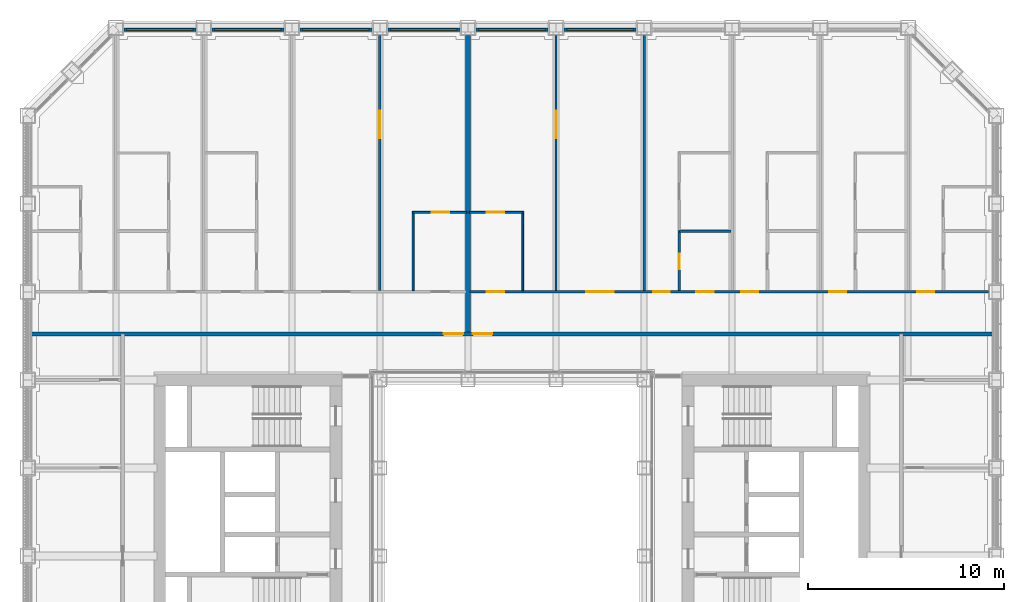
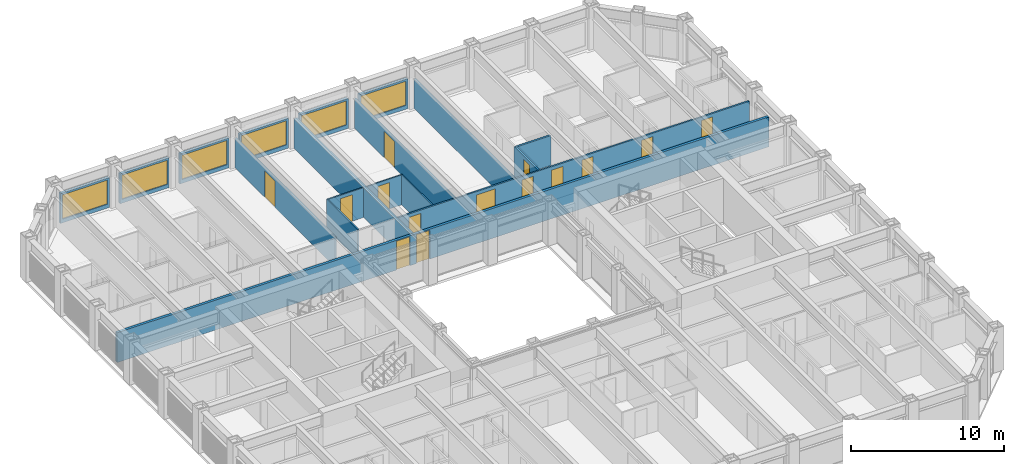
# One storey, part 14 of 21: 18 walls, 14 doors, 6 windows, 20 openings.
"""IFC4 building model written with IfcOpenShell, lengths in metres."""

from ifc_helpers import new_model, si_unit, direction, frame, frame_2d, origin, place, context, subcontext, project, spatial, rectangle, extrude, material, layer, layer_set, type_object, element, fill, save


model = new_model("IFC4")

# Units and contexts
model_context = context("Model", 3, precision=1e-05, world=origin(), true_north=direction((0.0, 1.0)))
body_context = subcontext(model_context, "Body", "Model", "MODEL_VIEW")
ifc_project = project(units=[si_unit("LENGTHUNIT", "METRE"), si_unit("AREAUNIT", "SQUARE_METRE"), si_unit("VOLUMEUNIT", "CUBIC_METRE"), si_unit("PLANEANGLEUNIT", "RADIAN"), si_unit("MASSUNIT", "GRAM", prefix="KILO")], contexts=[model_context])

# Site, building, storey
site_placement = place(None, origin())
site = spatial("IfcSite", under=ifc_project, at=site_placement, CompositionType="ELEMENT")
building_placement = place(site_placement, origin())
building = spatial("IfcBuilding", under=site, at=building_placement, Name="Msasa Ring Tower", CompositionType="ELEMENT")
storey_placement = place(building_placement, frame((0.0, 0.0, 82.5)))
storey = spatial("IfcBuildingStorey", under=building, at=storey_placement, Name="L21", CompositionType="ELEMENT", Elevation=82.5)

# Wall, opening, window
ifc_material_1 = material(Name="Terracotta rainscreen on blockwork", Category="masonry")
ifc_layer_1 = layer(ifc_material_1, 0.199951171875)
ifc_layer_set_1 = layer_set([ifc_layer_1], Name="FW1 TERRACOTTA-LINED INFILL BAY WALL 200")
wall_type_1 = type_object("IfcWallType", Name="FW1 TERRACOTTA-LINED INFILL BAY WALL 200", PredefinedType="SOLIDWALL", material=ifc_layer_set_1)
wall_1_placement = place(storey_placement, frame((-19.844970703125, 24.64990234375, 0.0), z_axis=(0.0, 0.0, 1.0), x_axis=(1.0, 0.0, 0.0)))
wall_1 = element("IfcWall", 1, at=wall_1_placement, inside=storey, type_object=wall_type_1, Name="Infill bay wall N L21 22", PredefinedType="SOLIDWALL", context=body_context, shape_type="SweptSolid", body=[
    extrude(rectangle(XDim=3.68994140625, YDim=0.199951171875, at=frame_2d((1.844970703125, 0.0))), origin(), (0.0, 0.0, 1.0), 2.37890625),
])
opening_1_placement = place(wall_1_placement, frame((0.14501953125, 0.0, 0.300048828125)))
opening_1 = element("IfcOpeningElement", 2, at=opening_1_placement, cuts=wall_1, Name="Opening WN1", PredefinedType="OPENING", context=body_context, shape_type="SweptSolid", body=[
    extrude(rectangle(XDim=3.39990234375, YDim=1.928955078125, at=frame_2d((1.699951171875, 0.96435546875))), frame((0.0, 0.10986328125, 0.0), z_axis=(0.0, -1.0, 0.0), x_axis=(1.0, 0.0, 0.0)), (0.0, 0.0, 1.0), 0.219970703125),
])
ifc_material_2 = material(Name="Aluminium frame with clear glass", Category="aluminium")
window_type = type_object("IfcWindowType", Name="WN1 RESIDENCE WINDOW 3400x1929", PartitioningType="SINGLE_PANEL", PredefinedType="WINDOW", material=ifc_material_2)
window_1_placement = place(opening_1_placement, origin())
window_1 = element("IfcWindow", 3, at=window_1_placement, inside=storey, type_object=window_type, Name="Window N L21 22", OverallHeight=1.928955078125, OverallWidth=3.39990234375, PartitioningType="SINGLE_PANEL", PredefinedType="WINDOW", context=body_context, shape_type="SweptSolid", body=[
    extrude(rectangle(XDim=3.39990234375, YDim=1.928955078125, at=frame_2d((1.699951171875, 0.96435546875))), frame((0.0, 0.030029296875, 0.0), z_axis=(0.0, -1.0, 0.0), x_axis=(1.0, 0.0, 0.0)), (0.0, 0.0, 1.0), 0.06005859375),
])
fill(opening_1, window_1)

wall_2_placement = place(storey_placement, frame((-15.344970703125, 24.64990234375, 0.0), z_axis=(0.0, 0.0, 1.0), x_axis=(1.0, 0.0, 0.0)))
wall_2 = element("IfcWall", 4, at=wall_2_placement, inside=storey, type_object=wall_type_1, Name="Infill bay wall N L21 23", PredefinedType="SOLIDWALL", context=body_context, shape_type="SweptSolid", body=[
    extrude(rectangle(XDim=3.68994140625, YDim=0.199951171875, at=frame_2d((1.844970703125, 0.0))), origin(), (0.0, 0.0, 1.0), 2.37890625),
])
opening_2_placement = place(wall_2_placement, frame((0.14501953125, 0.0, 0.300048828125)))
opening_2 = element("IfcOpeningElement", 5, at=opening_2_placement, cuts=wall_2, Name="Opening WN1", PredefinedType="OPENING", context=body_context, shape_type="SweptSolid", body=[
    extrude(rectangle(XDim=3.39990234375, YDim=1.928955078125, at=frame_2d((1.699951171875, 0.96435546875))), frame((0.0, 0.10986328125, 0.0), z_axis=(0.0, -1.0, 0.0), x_axis=(1.0, 0.0, 0.0)), (0.0, 0.0, 1.0), 0.219970703125),
])
window_2_placement = place(opening_2_placement, origin())
window_2 = element("IfcWindow", 6, at=window_2_placement, inside=storey, type_object=window_type, Name="Window N L21 23", OverallHeight=1.928955078125, OverallWidth=3.39990234375, PartitioningType="SINGLE_PANEL", PredefinedType="WINDOW", context=body_context, shape_type="SweptSolid", body=[
    extrude(rectangle(XDim=3.39990234375, YDim=1.928955078125, at=frame_2d((1.699951171875, 0.96435546875))), frame((0.0, 0.030029296875, 0.0), z_axis=(0.0, -1.0, 0.0), x_axis=(1.0, 0.0, 0.0)), (0.0, 0.0, 1.0), 0.06005859375),
])
fill(opening_2, window_2)

wall_3_placement = place(storey_placement, frame((-10.844970703125, 24.64990234375, 0.0), z_axis=(0.0, 0.0, 1.0), x_axis=(1.0, 0.0, 0.0)))
wall_3 = element("IfcWall", 7, at=wall_3_placement, inside=storey, type_object=wall_type_1, Name="Infill bay wall N L21 24", PredefinedType="SOLIDWALL", context=body_context, shape_type="SweptSolid", body=[
    extrude(rectangle(XDim=3.68994140625, YDim=0.199951171875, at=frame_2d((1.844970703125, 0.0))), origin(), (0.0, 0.0, 1.0), 2.37890625),
])
opening_3_placement = place(wall_3_placement, frame((0.14501953125, 0.0, 0.300048828125)))
opening_3 = element("IfcOpeningElement", 8, at=opening_3_placement, cuts=wall_3, Name="Opening WN1", PredefinedType="OPENING", context=body_context, shape_type="SweptSolid", body=[
    extrude(rectangle(XDim=3.39990234375, YDim=1.928955078125, at=frame_2d((1.699951171875, 0.96435546875))), frame((0.0, 0.10986328125, 0.0), z_axis=(0.0, -1.0, 0.0), x_axis=(1.0, 0.0, 0.0)), (0.0, 0.0, 1.0), 0.219970703125),
])
window_3_placement = place(opening_3_placement, origin())
window_3 = element("IfcWindow", 9, at=window_3_placement, inside=storey, type_object=window_type, Name="Window N L21 24", OverallHeight=1.928955078125, OverallWidth=3.39990234375, PartitioningType="SINGLE_PANEL", PredefinedType="WINDOW", context=body_context, shape_type="SweptSolid", body=[
    extrude(rectangle(XDim=3.39990234375, YDim=1.928955078125, at=frame_2d((1.699951171875, 0.96435546875))), frame((0.0, 0.030029296875, 0.0), z_axis=(0.0, -1.0, 0.0), x_axis=(1.0, 0.0, 0.0)), (0.0, 0.0, 1.0), 0.06005859375),
])
fill(opening_3, window_3)

wall_4_placement = place(storey_placement, frame((-6.344970703125, 24.64990234375, 0.0), z_axis=(0.0, 0.0, 1.0), x_axis=(1.0, 0.0, 0.0)))
wall_4 = element("IfcWall", 10, at=wall_4_placement, inside=storey, type_object=wall_type_1, Name="Infill bay wall N L21 25", PredefinedType="SOLIDWALL", context=body_context, shape_type="SweptSolid", body=[
    extrude(rectangle(XDim=3.68994140625, YDim=0.199951171875, at=frame_2d((1.844970703125, 0.0))), origin(), (0.0, 0.0, 1.0), 2.37890625),
])
opening_4_placement = place(wall_4_placement, frame((0.14501953125, 0.0, 0.300048828125)))
opening_4 = element("IfcOpeningElement", 11, at=opening_4_placement, cuts=wall_4, Name="Opening WN1", PredefinedType="OPENING", context=body_context, shape_type="SweptSolid", body=[
    extrude(rectangle(XDim=3.39990234375, YDim=1.928955078125, at=frame_2d((1.699951171875, 0.96435546875))), frame((0.0, 0.10986328125, 0.0), z_axis=(0.0, -1.0, 0.0), x_axis=(1.0, 0.0, 0.0)), (0.0, 0.0, 1.0), 0.219970703125),
])
window_4_placement = place(opening_4_placement, origin())
window_4 = element("IfcWindow", 12, at=window_4_placement, inside=storey, type_object=window_type, Name="Window N L21 25", OverallHeight=1.928955078125, OverallWidth=3.39990234375, PartitioningType="SINGLE_PANEL", PredefinedType="WINDOW", context=body_context, shape_type="SweptSolid", body=[
    extrude(rectangle(XDim=3.39990234375, YDim=1.928955078125, at=frame_2d((1.699951171875, 0.96435546875))), frame((0.0, 0.030029296875, 0.0), z_axis=(0.0, -1.0, 0.0), x_axis=(1.0, 0.0, 0.0)), (0.0, 0.0, 1.0), 0.06005859375),
])
fill(opening_4, window_4)

wall_5_placement = place(storey_placement, frame((-1.844970703125, 24.64990234375, 0.0), z_axis=(0.0, 0.0, 1.0), x_axis=(1.0, 0.0, 0.0)))
wall_5 = element("IfcWall", 13, at=wall_5_placement, inside=storey, type_object=wall_type_1, Name="Infill bay wall N L21 26", PredefinedType="SOLIDWALL", context=body_context, shape_type="SweptSolid", body=[
    extrude(rectangle(XDim=3.68994140625, YDim=0.199951171875, at=frame_2d((1.844970703125, 0.0))), origin(), (0.0, 0.0, 1.0), 2.37890625),
])
opening_5_placement = place(wall_5_placement, frame((0.14501953125, 0.0, 0.300048828125)))
opening_5 = element("IfcOpeningElement", 14, at=opening_5_placement, cuts=wall_5, Name="Opening WN1", PredefinedType="OPENING", context=body_context, shape_type="SweptSolid", body=[
    extrude(rectangle(XDim=3.39990234375, YDim=1.928955078125, at=frame_2d((1.699951171875, 0.96435546875))), frame((0.0, 0.10986328125, 0.0), z_axis=(0.0, -1.0, 0.0), x_axis=(1.0, 0.0, 0.0)), (0.0, 0.0, 1.0), 0.219970703125),
])
window_5_placement = place(opening_5_placement, origin())
window_5 = element("IfcWindow", 15, at=window_5_placement, inside=storey, type_object=window_type, Name="Window N L21 26", OverallHeight=1.928955078125, OverallWidth=3.39990234375, PartitioningType="SINGLE_PANEL", PredefinedType="WINDOW", context=body_context, shape_type="SweptSolid", body=[
    extrude(rectangle(XDim=3.39990234375, YDim=1.928955078125, at=frame_2d((1.699951171875, 0.96435546875))), frame((0.0, 0.030029296875, 0.0), z_axis=(0.0, -1.0, 0.0), x_axis=(1.0, 0.0, 0.0)), (0.0, 0.0, 1.0), 0.06005859375),
])
fill(opening_5, window_5)

wall_6_placement = place(storey_placement, frame((2.655029296875, 24.64990234375, 0.0), z_axis=(0.0, 0.0, 1.0), x_axis=(1.0, 0.0, 0.0)))
wall_6 = element("IfcWall", 16, at=wall_6_placement, inside=storey, type_object=wall_type_1, Name="Infill bay wall N L21 27", PredefinedType="SOLIDWALL", context=body_context, shape_type="SweptSolid", body=[
    extrude(rectangle(XDim=3.68994140625, YDim=0.199951171875, at=frame_2d((1.844970703125, 0.0))), origin(), (0.0, 0.0, 1.0), 2.37890625),
])
opening_6_placement = place(wall_6_placement, frame((0.14501953125, 0.0, 0.300048828125)))
opening_6 = element("IfcOpeningElement", 17, at=opening_6_placement, cuts=wall_6, Name="Opening WN1", PredefinedType="OPENING", context=body_context, shape_type="SweptSolid", body=[
    extrude(rectangle(XDim=3.39990234375, YDim=1.928955078125, at=frame_2d((1.699951171875, 0.96435546875))), frame((0.0, 0.10986328125, 0.0), z_axis=(0.0, -1.0, 0.0), x_axis=(1.0, 0.0, 0.0)), (0.0, 0.0, 1.0), 0.219970703125),
])
window_6_placement = place(opening_6_placement, origin())
window_6 = element("IfcWindow", 18, at=window_6_placement, inside=storey, type_object=window_type, Name="Window N L21 27", OverallHeight=1.928955078125, OverallWidth=3.39990234375, PartitioningType="SINGLE_PANEL", PredefinedType="WINDOW", context=body_context, shape_type="SweptSolid", body=[
    extrude(rectangle(XDim=3.39990234375, YDim=1.928955078125, at=frame_2d((1.699951171875, 0.96435546875))), frame((0.0, 0.030029296875, 0.0), z_axis=(0.0, -1.0, 0.0), x_axis=(1.0, 0.0, 0.0)), (0.0, 0.0, 1.0), 0.06005859375),
])
fill(opening_6, window_6)

# Wall, openings, doors
ifc_material_3 = material(Name="Concrete blockwork", Category="masonry")
ifc_layer_2 = layer(ifc_material_3, 0.199951171875)
ifc_layer_set_2 = layer_set([ifc_layer_2], Name="PT1 CORRIDOR WALL 200")
wall_type_2 = type_object("IfcWallType", Name="PT1 CORRIDOR WALL 200", PredefinedType="PARTITIONING", material=ifc_layer_set_2)
wall_7_placement = place(storey_placement, frame((-24.550048828125, 9.10009765625, 0.0), z_axis=(0.0, 0.0, 1.0), x_axis=(1.0, 0.0, 0.0)))
wall_7 = element("IfcWall", 19, at=wall_7_placement, inside=storey, type_object=wall_type_2, Name="Corridor wall L21-CORRN0", PredefinedType="PARTITIONING", context=body_context, shape_type="SweptSolid", body=[
    extrude(rectangle(XDim=49.10009765625, YDim=0.199951171875, at=frame_2d((24.550048828125, 0.0))), origin(), (0.0, 0.0, 1.0), 2.373291015625),
])
opening_7_placement = place(wall_7_placement, frame((22.550048828125, 0.0, 0.0)))
opening_7 = element("IfcOpeningElement", 20, at=opening_7_placement, cuts=wall_7, Name="Opening RF-033", PredefinedType="OPENING", context=body_context, shape_type="SweptSolid", body=[
    extrude(rectangle(XDim=1.0, YDim=2.300048828125, at=frame_2d((0.5, 1.14990234375))), frame((0.0, 0.10986328125, 0.0), z_axis=(0.0, -1.0, 0.0), x_axis=(1.0, 0.0, 0.0)), (0.0, 0.0, 1.0), 0.219970703125),
])
opening_8_placement = place(wall_7_placement, frame((21.050048828125, 0.0, 0.0)))
opening_8 = element("IfcOpeningElement", 21, at=opening_8_placement, cuts=wall_7, Name="Opening RF-032", PredefinedType="OPENING", context=body_context, shape_type="SweptSolid", body=[
    extrude(rectangle(XDim=1.0, YDim=2.300048828125, at=frame_2d((0.5, 1.14990234375))), frame((0.0, 0.10986328125, 0.0), z_axis=(0.0, -1.0, 0.0), x_axis=(1.0, 0.0, 0.0)), (0.0, 0.0, 1.0), 0.219970703125),
])
ifc_material_4 = material(Name="Timber door leaf in a steel frame", Category="steel")
door_type_1 = type_object("IfcDoorType", Name="D16 UPPER RESIDENCE ENTRANCE DOOR 1000x2300", OperationType="SINGLE_SWING_LEFT", PredefinedType="DOOR", material=ifc_material_4)
door_1_placement = place(opening_7_placement, origin())
door_1 = element("IfcDoor", 22, at=door_1_placement, inside=storey, type_object=door_type_1, Name="Door L21-VNE", OperationType="SINGLE_SWING_LEFT", OverallHeight=2.300048828125, OverallWidth=1.0, PredefinedType="DOOR", context=body_context, shape_type="SweptSolid", body=[
    extrude(rectangle(XDim=1.0, YDim=2.300048828125, at=frame_2d((0.5, 1.14990234375))), frame((0.0, 0.02490234375, 0.0), z_axis=(0.0, -1.0, 0.0), x_axis=(1.0, 0.0, 0.0)), (0.0, 0.0, 1.0), 0.050048828125),
])
fill(opening_7, door_1)
door_2_placement = place(opening_8_placement, origin())
door_2 = element("IfcDoor", 23, at=door_2_placement, inside=storey, type_object=door_type_1, Name="Door L21-VNW", OperationType="SINGLE_SWING_LEFT", OverallHeight=2.300048828125, OverallWidth=1.0, PredefinedType="DOOR", context=body_context, shape_type="SweptSolid", body=[
    extrude(rectangle(XDim=1.0, YDim=2.300048828125, at=frame_2d((0.5, 1.14990234375))), frame((0.0, 0.02490234375, 0.0), z_axis=(0.0, -1.0, 0.0), x_axis=(1.0, 0.0, 0.0)), (0.0, 0.0, 1.0), 0.050048828125),
])
fill(opening_8, door_2)

# Wall
ifc_material_5 = material(Name="Gypsum board on steel studs", Category="steel")
ifc_layer_3 = layer(ifc_material_5, 0.10009765625)
ifc_layer_set_3 = layer_set([ifc_layer_3], Name="PT2 STUD PARTITION 100")
wall_type_3 = type_object("IfcWallType", Name="PT2 STUD PARTITION 100", PredefinedType="PARTITIONING", material=ifc_layer_set_3)
wall_8_placement = place(storey_placement, frame((0.550048828125, 11.3125, 0.0), z_axis=(0.0, 0.0, 1.0), x_axis=(0.0, 1.0, 0.0)))
element("IfcWall", 24, at=wall_8_placement, inside=storey, type_object=wall_type_3, Name="Partition L21-VNEKX", PredefinedType="PARTITIONING", context=body_context, shape_type="SweptSolid", body=[
    extrude(rectangle(XDim=4.050048828125, YDim=0.10009765625, at=frame_2d((2.02490234375, 0.0))), origin(), (0.0, 0.0, 1.0), 2.373291015625),
])

# Wall, opening, door
wall_9_placement = place(storey_placement, frame((-2.1826171875, 15.3125, 0.0), z_axis=(0.0, 0.0, 1.0), x_axis=(1.0, 0.0, 0.0)))
wall_9 = element("IfcWall", 25, at=wall_9_placement, inside=storey, type_object=wall_type_3, Name="Partition L21-VNEKY", PredefinedType="PARTITIONING", context=body_context, shape_type="SweptSolid", body=[
    extrude(rectangle(XDim=2.732666015625, YDim=0.10009765625, at=frame_2d((1.3662109375, 0.0))), origin(), (0.0, 0.0, 1.0), 2.373291015625),
])
opening_9_placement = place(wall_9_placement, frame((0.882568359375, 0.0, 0.0)))
opening_9 = element("IfcOpeningElement", 26, at=opening_9_placement, cuts=wall_9, Name="Opening RF-011", PredefinedType="OPENING", context=body_context, shape_type="SweptSolid", body=[
    extrude(rectangle(XDim=0.89990234375, YDim=2.10009765625, at=frame_2d((0.449951171875, 1.050048828125))), frame((0.0, 0.06005859375, 0.0), z_axis=(0.0, -1.0, 0.0), x_axis=(1.0, 0.0, 0.0)), (0.0, 0.0, 1.0), 0.1201171875),
])
ifc_material_6 = material(Name="Timber door leaf in a steel frame", Category="steel")
door_type_2 = type_object("IfcDoorType", Name="D22 INTERNAL HALL DOOR 900x2100", OperationType="SINGLE_SWING_LEFT", PredefinedType="DOOR", material=ifc_material_6)
door_3_placement = place(opening_9_placement, origin())
door_3 = element("IfcDoor", 27, at=door_3_placement, inside=storey, type_object=door_type_2, Name="Door L21-VNEKD", OperationType="SINGLE_SWING_LEFT", OverallHeight=2.10009765625, OverallWidth=0.89990234375, PredefinedType="DOOR", context=body_context, shape_type="SweptSolid", body=[
    extrude(rectangle(XDim=0.89990234375, YDim=2.10009765625, at=frame_2d((0.449951171875, 1.050048828125))), frame((0.0, 0.02490234375, 0.0), z_axis=(0.0, -1.0, 0.0), x_axis=(1.0, 0.0, 0.0)), (0.0, 0.0, 1.0), 0.050048828125),
])
fill(opening_9, door_3)

# Wall
wall_10_placement = place(storey_placement, frame((-5.050048828125, 11.3125, 0.0), z_axis=(0.0, 0.0, 1.0), x_axis=(0.0, 1.0, 0.0)))
element("IfcWall", 28, at=wall_10_placement, inside=storey, type_object=wall_type_3, Name="Partition L21-VNWKX", PredefinedType="PARTITIONING", context=body_context, shape_type="SweptSolid", body=[
    extrude(rectangle(XDim=4.050048828125, YDim=0.10009765625, at=frame_2d((2.02490234375, 0.0))), origin(), (0.0, 0.0, 1.0), 2.373291015625),
])

# Wall, opening, door
wall_11_placement = place(storey_placement, frame((-5.050048828125, 15.3125, 0.0), z_axis=(0.0, 0.0, 1.0), x_axis=(1.0, 0.0, 0.0)))
wall_11 = element("IfcWall", 29, at=wall_11_placement, inside=storey, type_object=wall_type_3, Name="Partition L21-VNWKY", PredefinedType="PARTITIONING", context=body_context, shape_type="SweptSolid", body=[
    extrude(rectangle(XDim=2.732666015625, YDim=0.10009765625, at=frame_2d((1.3662109375, 0.0))), origin(), (0.0, 0.0, 1.0), 2.373291015625),
])
opening_10_placement = place(wall_11_placement, frame((0.949951171875, 0.0, 0.0)))
opening_10 = element("IfcOpeningElement", 30, at=opening_10_placement, cuts=wall_11, Name="Opening RF-010", PredefinedType="OPENING", context=body_context, shape_type="SweptSolid", body=[
    extrude(rectangle(XDim=0.89990234375, YDim=2.10009765625, at=frame_2d((0.449951171875, 1.050048828125))), frame((0.0, 0.06005859375, 0.0), z_axis=(0.0, -1.0, 0.0), x_axis=(1.0, 0.0, 0.0)), (0.0, 0.0, 1.0), 0.1201171875),
])
door_4_placement = place(opening_10_placement, origin())
door_4 = element("IfcDoor", 31, at=door_4_placement, inside=storey, type_object=door_type_2, Name="Door L21-VNWKD", OperationType="SINGLE_SWING_RIGHT", OverallHeight=2.10009765625, OverallWidth=0.89990234375, PredefinedType="DOOR", context=body_context, shape_type="SweptSolid", body=[
    extrude(rectangle(XDim=0.89990234375, YDim=2.10009765625, at=frame_2d((0.449951171875, 1.050048828125))), frame((0.0, 0.02490234375, 0.0), z_axis=(0.0, -1.0, 0.0), x_axis=(1.0, 0.0, 0.0)), (0.0, 0.0, 1.0), 0.050048828125),
])
fill(opening_10, door_4)

# Wall
ifc_material_7 = material(Name="Dense concrete blockwork, plastered both faces", Category="masonry")
ifc_layer_4 = layer(ifc_material_7, 0.25)
ifc_layer_set_4 = layer_set([ifc_layer_4], Name="PT3 APARTMENT SEPARATING WALL 250")
wall_type_4 = type_object("IfcWallType", Name="PT3 APARTMENT SEPARATING WALL 250", PredefinedType="PARTITIONING", material=ifc_layer_set_4)
wall_12_placement = place(storey_placement, frame((-2.25, 9.199951171875, 0.0), z_axis=(0.0, 0.0, 1.0), x_axis=(0.0, 1.0, 0.0)))
element("IfcWall", 32, at=wall_12_placement, inside=storey, type_object=wall_type_4, Name="Party wall L21-PWN-2.25", PredefinedType="PARTITIONING", context=body_context, shape_type="SweptSolid", body=[
    extrude(rectangle(XDim=15.150146484375, YDim=0.25, at=frame_2d((7.5751953125, 0.0))), origin(), (0.0, 0.0, 1.0), 2.373291015625),
])

# Wall, opening, door
ifc_material_8 = material(Name="Moisture-resistant board on steel studs with a concealed cistern and pipe void, tiled", Category="steel")
ifc_layer_5 = layer(ifc_material_8, 0.14990234375)
ifc_layer_set_5 = layer_set([ifc_layer_5], Name="PT4 BATHROOM WET WALL 150")
wall_type_5 = type_object("IfcWallType", Name="PT4 BATHROOM WET WALL 150", PredefinedType="PARTITIONING", material=ifc_layer_set_5)
wall_13_placement = place(storey_placement, frame((8.550048828125, 11.3125, 0.0), z_axis=(0.0, 0.0, 1.0), x_axis=(0.0, 1.0, 0.0)))
wall_13 = element("IfcWall", 33, at=wall_13_placement, inside=storey, type_object=wall_type_5, Name="Partition L21-VNEBX1", PredefinedType="PARTITIONING", context=body_context, shape_type="SweptSolid", body=[
    extrude(rectangle(XDim=3.08740234375, YDim=0.14990234375, at=frame_2d((1.543701171875, 0.0))), origin(), (0.0, 0.0, 1.0), 2.373291015625),
])
opening_11_placement = place(wall_13_placement, frame((1.08740234375, 0.0, 0.0)))
opening_11 = element("IfcOpeningElement", 34, at=opening_11_placement, cuts=wall_13, Name="Opening RF-015", PredefinedType="OPENING", context=body_context, shape_type="SweptSolid", body=[
    extrude(rectangle(XDim=0.800048828125, YDim=2.10009765625, at=frame_2d((0.39990234375, 1.050048828125))), frame((0.0, 0.0849609375, 0.0), z_axis=(0.0, -1.0, 0.0), x_axis=(1.0, 0.0, 0.0)), (0.0, 0.0, 1.0), 0.169921875),
])
ifc_material_9 = material(Name="Timber door leaf in a steel frame", Category="steel")
door_type_3 = type_object("IfcDoorType", Name="D21 POCKET SLIDING BATHROOM DOOR 800x2100", OperationType="SINGLE_SWING_LEFT", PredefinedType="DOOR", material=ifc_material_9)
door_5_placement = place(opening_11_placement, origin())
door_5 = element("IfcDoor", 35, at=door_5_placement, inside=storey, type_object=door_type_3, Name="Door L21-VNEB1", OperationType="SINGLE_SWING_LEFT", OverallHeight=2.10009765625, OverallWidth=0.800048828125, PredefinedType="DOOR", context=body_context, shape_type="SweptSolid", body=[
    extrude(rectangle(XDim=0.800048828125, YDim=2.10009765625, at=frame_2d((0.39990234375, 1.050048828125))), frame((0.0, 0.02490234375, 0.0), z_axis=(0.0, -1.0, 0.0), x_axis=(1.0, 0.0, 0.0)), (0.0, 0.0, 1.0), 0.050048828125),
])
fill(opening_11, door_5)

# Wall
wall_14_placement = place(storey_placement, frame((8.550048828125, 14.35009765625, 0.0), z_axis=(0.0, 0.0, 1.0), x_axis=(1.0, 0.0, 0.0)))
element("IfcWall", 36, at=wall_14_placement, inside=storey, type_object=wall_type_5, Name="Partition L21-VNEBY1", PredefinedType="PARTITIONING", context=body_context, shape_type="SweptSolid", body=[
    extrude(rectangle(XDim=2.639892578125, YDim=0.14990234375, at=frame_2d((1.31982421875, 0.0))), origin(), (0.0, 0.0, 1.0), 2.373291015625),
])

# Wall, openings, doors
ifc_material_10 = material(Name="Two layers of acoustic board each face on steel studs, mineral wool", Category="steel")
ifc_layer_6 = layer(ifc_material_10, 0.125)
ifc_layer_set_6 = layer_set([ifc_layer_6], Name="PT6 ACOUSTIC DOUBLE-BOARD PARTITION 125")
wall_type_6 = type_object("IfcWallType", Name="PT6 ACOUSTIC DOUBLE-BOARD PARTITION 125", PredefinedType="PARTITIONING", material=ifc_layer_set_6)
wall_15_placement = place(storey_placement, frame((-2.14990234375, 11.25, 0.0), z_axis=(0.0, 0.0, 1.0), x_axis=(1.0, 0.0, 0.0)))
wall_15 = element("IfcWall", 37, at=wall_15_placement, inside=storey, type_object=wall_type_6, Name="Partition L21-VNEHY", PredefinedType="PARTITIONING", context=body_context, shape_type="SweptSolid", body=[
    extrude(rectangle(XDim=26.5, YDim=0.125, at=frame_2d((13.25, 0.0))), origin(), (0.0, 0.0, 1.0), 2.373291015625),
])
opening_12_placement = place(wall_15_placement, frame((0.85009765625, 0.0, 0.0)))
opening_12 = element("IfcOpeningElement", 38, at=opening_12_placement, cuts=wall_15, Name="Opening RF-025", PredefinedType="OPENING", context=body_context, shape_type="SweptSolid", body=[
    extrude(rectangle(XDim=0.89990234375, YDim=2.10009765625, at=frame_2d((0.449951171875, 1.050048828125))), frame((0.0, 0.072509765625, 0.0), z_axis=(0.0, -1.0, 0.0), x_axis=(1.0, 0.0, 0.0)), (0.0, 0.0, 1.0), 0.14501953125),
])
opening_13_placement = place(wall_15_placement, frame((5.949951171875, 0.0, 0.0)))
opening_13 = element("IfcOpeningElement", 39, at=opening_13_placement, cuts=wall_15, Name="Opening RF-026", PredefinedType="OPENING", context=body_context, shape_type="SweptSolid", body=[
    extrude(rectangle(XDim=1.39990234375, YDim=2.10009765625, at=frame_2d((0.699951171875, 1.050048828125))), frame((0.0, 0.072509765625, 0.0), z_axis=(0.0, -1.0, 0.0), x_axis=(1.0, 0.0, 0.0)), (0.0, 0.0, 1.0), 0.14501953125),
])
opening_14_placement = place(wall_15_placement, frame((9.375, 0.0, 0.0)))
opening_14 = element("IfcOpeningElement", 40, at=opening_14_placement, cuts=wall_15, Name="Opening RF-027", PredefinedType="OPENING", context=body_context, shape_type="SweptSolid", body=[
    extrude(rectangle(XDim=0.85009765625, YDim=2.10009765625, at=frame_2d((0.425048828125, 1.050048828125))), frame((0.0, 0.072509765625, 0.0), z_axis=(0.0, -1.0, 0.0), x_axis=(1.0, 0.0, 0.0)), (0.0, 0.0, 1.0), 0.14501953125),
])
opening_15_placement = place(wall_15_placement, frame((11.570068359375, 0.0, 0.0)))
opening_15 = element("IfcOpeningElement", 41, at=opening_15_placement, cuts=wall_15, Name="Opening RF-028", PredefinedType="OPENING", context=body_context, shape_type="SweptSolid", body=[
    extrude(rectangle(XDim=0.89990234375, YDim=2.10009765625, at=frame_2d((0.449951171875, 1.050048828125))), frame((0.0, 0.072509765625, 0.0), z_axis=(0.0, -1.0, 0.0), x_axis=(1.0, 0.0, 0.0)), (0.0, 0.0, 1.0), 0.14501953125),
])
opening_16_placement = place(wall_15_placement, frame((13.875, 0.0, 0.0)))
opening_16 = element("IfcOpeningElement", 42, at=opening_16_placement, cuts=wall_15, Name="Opening RF-029", PredefinedType="OPENING", context=body_context, shape_type="SweptSolid", body=[
    extrude(rectangle(XDim=0.85009765625, YDim=2.10009765625, at=frame_2d((0.425048828125, 1.050048828125))), frame((0.0, 0.072509765625, 0.0), z_axis=(0.0, -1.0, 0.0), x_axis=(1.0, 0.0, 0.0)), (0.0, 0.0, 1.0), 0.14501953125),
])
opening_17_placement = place(wall_15_placement, frame((18.375, 0.0, 0.0)))
opening_17 = element("IfcOpeningElement", 43, at=opening_17_placement, cuts=wall_15, Name="Opening RF-030", PredefinedType="OPENING", context=body_context, shape_type="SweptSolid", body=[
    extrude(rectangle(XDim=0.85009765625, YDim=2.10009765625, at=frame_2d((0.425048828125, 1.050048828125))), frame((0.0, 0.072509765625, 0.0), z_axis=(0.0, -1.0, 0.0), x_axis=(1.0, 0.0, 0.0)), (0.0, 0.0, 1.0), 0.14501953125),
])
opening_18_placement = place(wall_15_placement, frame((22.875, 0.0, 0.0)))
opening_18 = element("IfcOpeningElement", 44, at=opening_18_placement, cuts=wall_15, Name="Opening RF-031", PredefinedType="OPENING", context=body_context, shape_type="SweptSolid", body=[
    extrude(rectangle(XDim=0.85009765625, YDim=2.10009765625, at=frame_2d((0.425048828125, 1.050048828125))), frame((0.0, 0.072509765625, 0.0), z_axis=(0.0, -1.0, 0.0), x_axis=(1.0, 0.0, 0.0)), (0.0, 0.0, 1.0), 0.14501953125),
])
ifc_material_11 = material(Name="Timber door leaf in a steel frame", Category="steel")
door_type_4 = type_object("IfcDoorType", Name="D14 BEDROOM DOOR 850x2100", OperationType="SINGLE_SWING_LEFT", PredefinedType="DOOR", material=ifc_material_11)
door_6_placement = place(opening_14_placement, origin())
door_6 = element("IfcDoor", 45, at=door_6_placement, inside=storey, type_object=door_type_4, Name="Door L21-VNER1", OperationType="SINGLE_SWING_LEFT", OverallHeight=2.10009765625, OverallWidth=0.85009765625, PredefinedType="DOOR", context=body_context, shape_type="SweptSolid", body=[
    extrude(rectangle(XDim=0.85009765625, YDim=2.10009765625, at=frame_2d((0.425048828125, 1.050048828125))), frame((0.0, 0.02490234375, 0.0), z_axis=(0.0, -1.0, 0.0), x_axis=(1.0, 0.0, 0.0)), (0.0, 0.0, 1.0), 0.050048828125),
])
fill(opening_14, door_6)
door_7_placement = place(opening_16_placement, origin())
door_7 = element("IfcDoor", 46, at=door_7_placement, inside=storey, type_object=door_type_4, Name="Door L21-VNER2", OperationType="SINGLE_SWING_RIGHT", OverallHeight=2.10009765625, OverallWidth=0.85009765625, PredefinedType="DOOR", context=body_context, shape_type="SweptSolid", body=[
    extrude(rectangle(XDim=0.85009765625, YDim=2.10009765625, at=frame_2d((0.425048828125, 1.050048828125))), frame((0.0, 0.02490234375, 0.0), z_axis=(0.0, -1.0, 0.0), x_axis=(1.0, 0.0, 0.0)), (0.0, 0.0, 1.0), 0.050048828125),
])
fill(opening_16, door_7)
door_8_placement = place(opening_17_placement, origin())
door_8 = element("IfcDoor", 47, at=door_8_placement, inside=storey, type_object=door_type_4, Name="Door L21-VNER3", OperationType="SINGLE_SWING_RIGHT", OverallHeight=2.10009765625, OverallWidth=0.85009765625, PredefinedType="DOOR", context=body_context, shape_type="SweptSolid", body=[
    extrude(rectangle(XDim=0.85009765625, YDim=2.10009765625, at=frame_2d((0.425048828125, 1.050048828125))), frame((0.0, 0.02490234375, 0.0), z_axis=(0.0, -1.0, 0.0), x_axis=(1.0, 0.0, 0.0)), (0.0, 0.0, 1.0), 0.050048828125),
])
fill(opening_17, door_8)
door_9_placement = place(opening_18_placement, origin())
door_9 = element("IfcDoor", 48, at=door_9_placement, inside=storey, type_object=door_type_4, Name="Door L21-VNER4", OperationType="SINGLE_SWING_RIGHT", OverallHeight=2.10009765625, OverallWidth=0.85009765625, PredefinedType="DOOR", context=body_context, shape_type="SweptSolid", body=[
    extrude(rectangle(XDim=0.85009765625, YDim=2.10009765625, at=frame_2d((0.425048828125, 1.050048828125))), frame((0.0, 0.02490234375, 0.0), z_axis=(0.0, -1.0, 0.0), x_axis=(1.0, 0.0, 0.0)), (0.0, 0.0, 1.0), 0.050048828125),
])
fill(opening_18, door_9)
ifc_material_12 = material(Name="Timber door leaf in a steel frame", Category="steel")
door_type_5 = type_object("IfcDoorType", Name="D15 LIVING ROOM PAIR OF GLAZED DOORS 1400x2100", OperationType="SINGLE_SWING_LEFT", PredefinedType="DOOR", material=ifc_material_12)
door_10_placement = place(opening_13_placement, origin())
door_10 = element("IfcDoor", 49, at=door_10_placement, inside=storey, type_object=door_type_5, Name="Door L21-VNEL", OperationType="SINGLE_SWING_LEFT", OverallHeight=2.10009765625, OverallWidth=1.39990234375, PredefinedType="DOOR", context=body_context, shape_type="SweptSolid", body=[
    extrude(rectangle(XDim=1.39990234375, YDim=2.10009765625, at=frame_2d((0.699951171875, 1.050048828125))), frame((0.0, 0.02490234375, 0.0), z_axis=(0.0, -1.0, 0.0), x_axis=(1.0, 0.0, 0.0)), (0.0, 0.0, 1.0), 0.050048828125),
])
fill(opening_13, door_10)
door_11_placement = place(opening_12_placement, origin())
door_11 = element("IfcDoor", 50, at=door_11_placement, inside=storey, type_object=door_type_2, Name="Door L21-VNEK", OperationType="SINGLE_SWING_LEFT", OverallHeight=2.10009765625, OverallWidth=0.89990234375, PredefinedType="DOOR", context=body_context, shape_type="SweptSolid", body=[
    extrude(rectangle(XDim=0.89990234375, YDim=2.10009765625, at=frame_2d((0.449951171875, 1.050048828125))), frame((0.0, 0.02490234375, 0.0), z_axis=(0.0, -1.0, 0.0), x_axis=(1.0, 0.0, 0.0)), (0.0, 0.0, 1.0), 0.050048828125),
])
fill(opening_12, door_11)
ifc_material_13 = material(Name="Timber door leaf in a steel frame", Category="steel")
door_type_6 = type_object("IfcDoorType", Name="D3 BATHROOM DOOR 900x2100", OperationType="SINGLE_SWING_LEFT", PredefinedType="DOOR", material=ifc_material_13)
door_12_placement = place(opening_15_placement, origin())
door_12 = element("IfcDoor", 51, at=door_12_placement, inside=storey, type_object=door_type_6, Name="Door L21-VNEBH1", OperationType="SINGLE_SWING_LEFT", OverallHeight=2.10009765625, OverallWidth=0.89990234375, PredefinedType="DOOR", context=body_context, shape_type="SweptSolid", body=[
    extrude(rectangle(XDim=0.89990234375, YDim=2.10009765625, at=frame_2d((0.449951171875, 1.050048828125))), frame((0.0, 0.02490234375, 0.0), z_axis=(0.0, -1.0, 0.0), x_axis=(1.0, 0.0, 0.0)), (0.0, 0.0, 1.0), 0.050048828125),
])
fill(opening_15, door_12)

# Wall, opening, door
wall_16_placement = place(storey_placement, frame((2.25, 11.3125, 0.0), z_axis=(0.0, 0.0, 1.0), x_axis=(0.0, 1.0, 0.0)))
wall_16 = element("IfcWall", 52, at=wall_16_placement, inside=storey, type_object=wall_type_6, Name="Partition L21-VNELM", PredefinedType="PARTITIONING", context=body_context, shape_type="SweptSolid", body=[
    extrude(rectangle(XDim=13.03759765625, YDim=0.125, at=frame_2d((6.518798828125, 0.0))), origin(), (0.0, 0.0, 1.0), 2.373291015625),
])
opening_19_placement = place(wall_16_placement, frame((7.793701171875, 0.0, 0.0)))
opening_19 = element("IfcOpeningElement", 53, at=opening_19_placement, cuts=wall_16, Name="Opening RF-002", PredefinedType="OPENING", context=body_context, shape_type="SweptSolid", body=[
    extrude(rectangle(XDim=1.39990234375, YDim=2.10009765625, at=frame_2d((0.699951171875, 1.050048828125))), frame((0.0, 0.072509765625, 0.0), z_axis=(0.0, -1.0, 0.0), x_axis=(1.0, 0.0, 0.0)), (0.0, 0.0, 1.0), 0.14501953125),
])
door_13_placement = place(opening_19_placement, origin())
door_13 = element("IfcDoor", 54, at=door_13_placement, inside=storey, type_object=door_type_5, Name="Door L21-VNELD", OperationType="SINGLE_SWING_RIGHT", OverallHeight=2.10009765625, OverallWidth=1.39990234375, PredefinedType="DOOR", context=body_context, shape_type="SweptSolid", body=[
    extrude(rectangle(XDim=1.39990234375, YDim=2.10009765625, at=frame_2d((0.699951171875, 1.050048828125))), frame((0.0, 0.02490234375, 0.0), z_axis=(0.0, -1.0, 0.0), x_axis=(1.0, 0.0, 0.0)), (0.0, 0.0, 1.0), 0.050048828125),
])
fill(opening_19, door_13)

# Wall
wall_17_placement = place(storey_placement, frame((6.75, 11.3125, 0.0), z_axis=(0.0, 0.0, 1.0), x_axis=(0.0, 1.0, 0.0)))
element("IfcWall", 55, at=wall_17_placement, inside=storey, type_object=wall_type_6, Name="Partition L21-VNEP1", PredefinedType="PARTITIONING", context=body_context, shape_type="SweptSolid", body=[
    extrude(rectangle(XDim=13.03759765625, YDim=0.125, at=frame_2d((6.518798828125, 0.0))), origin(), (0.0, 0.0, 1.0), 2.373291015625),
])

# Wall, opening, door
wall_18_placement = place(storey_placement, frame((-6.75, 11.3125, 0.0), z_axis=(0.0, 0.0, 1.0), x_axis=(0.0, 1.0, 0.0)))
wall_18 = element("IfcWall", 56, at=wall_18_placement, inside=storey, type_object=wall_type_6, Name="Partition L21-VNWLM", PredefinedType="PARTITIONING", context=body_context, shape_type="SweptSolid", body=[
    extrude(rectangle(XDim=13.03759765625, YDim=0.125, at=frame_2d((6.518798828125, 0.0))), origin(), (0.0, 0.0, 1.0), 2.373291015625),
])
opening_20_placement = place(wall_18_placement, frame((7.793701171875, 0.0, 0.0)))
opening_20 = element("IfcOpeningElement", 57, at=opening_20_placement, cuts=wall_18, Name="Opening RF-001", PredefinedType="OPENING", context=body_context, shape_type="SweptSolid", body=[
    extrude(rectangle(XDim=1.39990234375, YDim=2.10009765625, at=frame_2d((0.699951171875, 1.050048828125))), frame((0.0, 0.072509765625, 0.0), z_axis=(0.0, -1.0, 0.0), x_axis=(1.0, 0.0, 0.0)), (0.0, 0.0, 1.0), 0.14501953125),
])
door_14_placement = place(opening_20_placement, origin())
door_14 = element("IfcDoor", 58, at=door_14_placement, inside=storey, type_object=door_type_5, Name="Door L21-VNWLD", OperationType="SINGLE_SWING_RIGHT", OverallHeight=2.10009765625, OverallWidth=1.39990234375, PredefinedType="DOOR", context=body_context, shape_type="SweptSolid", body=[
    extrude(rectangle(XDim=1.39990234375, YDim=2.10009765625, at=frame_2d((0.699951171875, 1.050048828125))), frame((0.0, 0.02490234375, 0.0), z_axis=(0.0, -1.0, 0.0), x_axis=(1.0, 0.0, 0.0)), (0.0, 0.0, 1.0), 0.050048828125),
])
fill(opening_20, door_14)

save(model, "model.ifc")
